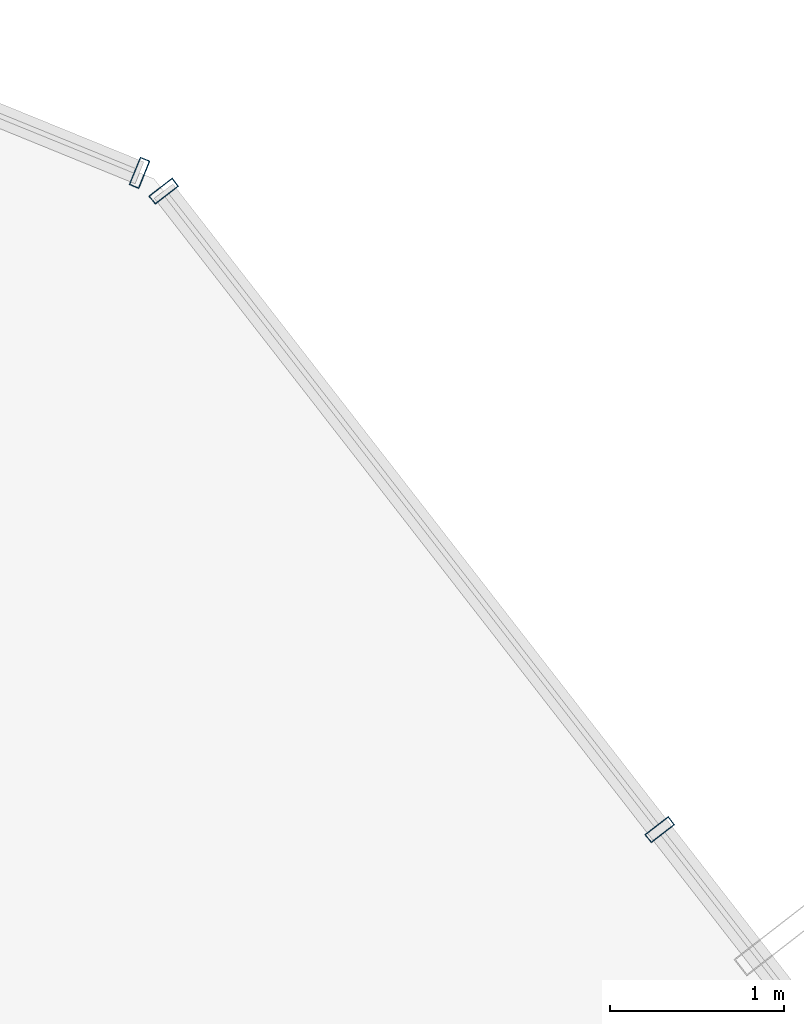
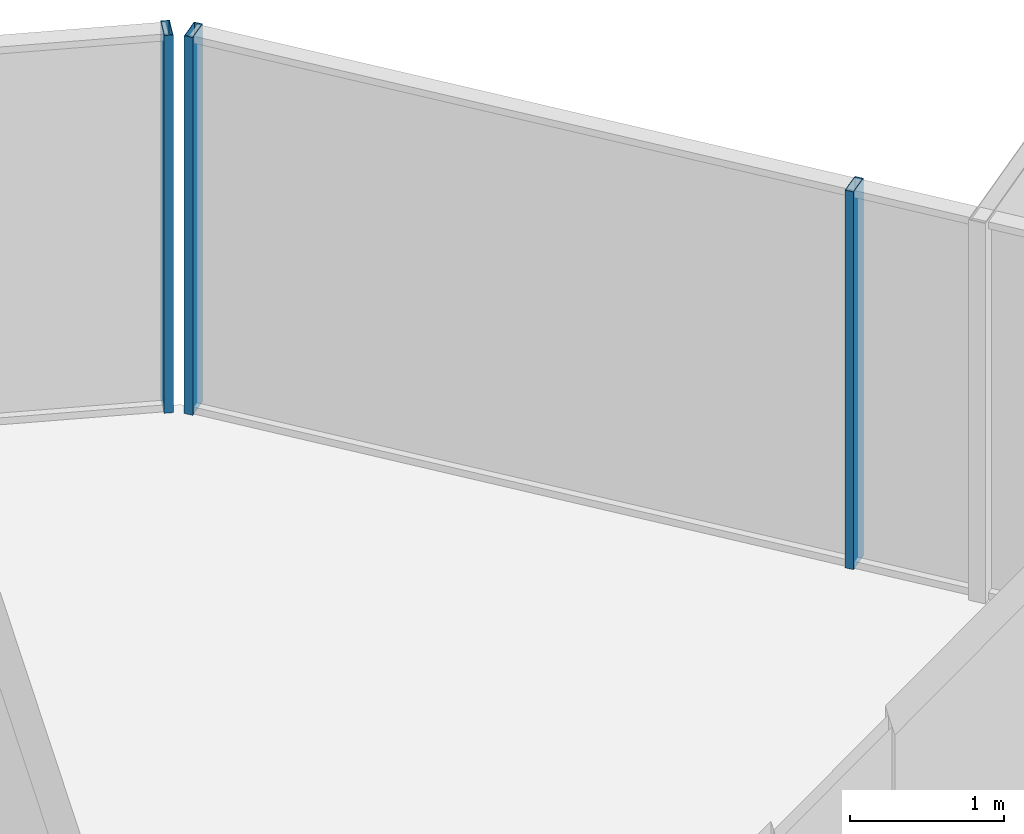
# One storey, part 31 of 37: 3 members, 2 elements without a shape of their own.
"""IFC4 building model written with IfcOpenShell, lengths in metres."""

from ifc_helpers import new_model, si_unit, direction, frame, origin, origin_2d, place, context, subcontext, project, spatial, hollow_rectangle, extrude, source, transform, mapped, material, layer, layer_set, material_profile, profile_set, type_object, element, aggregate, save


model = new_model("IFC4")

# Units and contexts
model_context = context("Model", 3, precision=1e-05, world=origin(), true_north=direction((0.0, 1.0)))
body_context = subcontext(model_context, "Body", "Model", "MODEL_VIEW")
ifc_project = project(units=[si_unit("LENGTHUNIT", "METRE"), si_unit("AREAUNIT", "SQUARE_METRE"), si_unit("VOLUMEUNIT", "CUBIC_METRE"), si_unit("PLANEANGLEUNIT", "RADIAN"), si_unit("MASSUNIT", "GRAM", prefix="KILO")], contexts=[model_context])

# Site, building, storey
site_placement = place(None, origin())
site = spatial("IfcSite", under=ifc_project, at=site_placement, CompositionType="ELEMENT")
building_placement = place(site_placement, origin())
building = spatial("IfcBuilding", under=site, at=building_placement, Name="Veraguas Prism Commons", CompositionType="ELEMENT")
storey_placement = place(building_placement, frame((0.0, 0.0, 50.050048828125)))
storey = spatial("IfcBuildingStorey", under=building, at=storey_placement, Name="L13", CompositionType="ELEMENT", Elevation=50.050048828125)

# Curtain wall, members
ifc_material = material(Name="Anodised aluminium EN AW-6063 T6", Category="aluminium")
ifc_layer = layer(ifc_material, 0.169921875, Name="Unitised Flush Curtain Wall Zone 1", Category="aluminium")
ifc_layer_set = layer_set([ifc_layer], Name="Anodised aluminium EN AW-6063 T6")
curtain_wall_type = type_object("IfcCurtainWallType", Name="Unitised Flush Curtain Wall Zone 1", PredefinedType="NOTDEFINED", material=ifc_layer_set)
curtain_wall_1_placement = place(storey_placement, origin())
curtain_wall_1 = element("IfcCurtainWall", 1, at=curtain_wall_1_placement, inside=storey, type_object=curtain_wall_type, Name="Tower Facade Curtain Wall L13-F1", PredefinedType="NOTDEFINED")
ifc_material_profile = material_profile(ifc_material, hollow_rectangle(XDim=0.06005859375, YDim=0.169921875, WallThickness=0.00390625, at=origin_2d()), Name="AL60X170X4")
ifc_profile_set = profile_set([ifc_material_profile], Name="Anodised aluminium EN AW-6063 T6")
member_type = type_object("IfcMemberType", Name="Curtain Wall Mullion Lower AL 60x170x4", PredefinedType="MULLION", material=ifc_profile_set)
shared_shape = source(origin(), body_context, "Body", "SweptSolid", [
    extrude(hollow_rectangle(XDim=0.06005859375, YDim=0.169921875, WallThickness=0.00390625, at=origin_2d()), origin(), (0.0, 0.0, 1.0), 3.0),
])
member_1_placement = place(storey_placement, frame((37.548828125, 40.439208984375, 0.0), z_axis=(0.0, 0.0, 1.0), x_axis=(-0.613461293172, 0.789724788632, 0.0)))
member_1 = element("IfcMember", 2, at=member_1_placement, type_object=member_type, Name="CW-Z1 Mullion 4", PredefinedType="MULLION", context=body_context, shape_type="MappedRepresentation", body=[
    mapped(shared_shape, transform((0.0, 0.0, 0.0), scale=1.0)),
])
member_2_placement = place(storey_placement, frame((34.70166015625, 44.104248046875, 0.0), z_axis=(0.0, 0.0, 1.0), x_axis=(-0.613461293172, 0.789724788632, 0.0)))
member_2 = element("IfcMember", 3, at=member_2_placement, type_object=member_type, Name="CW-Z1 Mullion 5", PredefinedType="MULLION", context=body_context, shape_type="MappedRepresentation", body=[
    mapped(shared_shape, transform((0.0, 0.0, 0.0), scale=1.0)),
])
aggregate(curtain_wall_1, [member_1, member_2])

# Curtain wall, member
curtain_wall_2_placement = place(storey_placement, origin())
curtain_wall_2 = element("IfcCurtainWall", 4, at=curtain_wall_2_placement, inside=storey, type_object=curtain_wall_type, Name="Chamfer Curtain Wall L13-C2", PredefinedType="NOTDEFINED")
member_3_placement = place(storey_placement, frame((34.563232421875, 44.209228515625, 0.0), z_axis=(0.0, 0.0, 1.0), x_axis=(-0.926124924918, 0.377216944801, 0.0)))
member_3 = element("IfcMember", 5, at=member_3_placement, type_object=member_type, Name="CW-Z1 Mullion 1", PredefinedType="MULLION", context=body_context, shape_type="MappedRepresentation", body=[
    mapped(shared_shape, transform((0.0, 0.0, 0.0), scale=1.0)),
])
aggregate(curtain_wall_2, [member_3])

save(model, "model.ifc")
